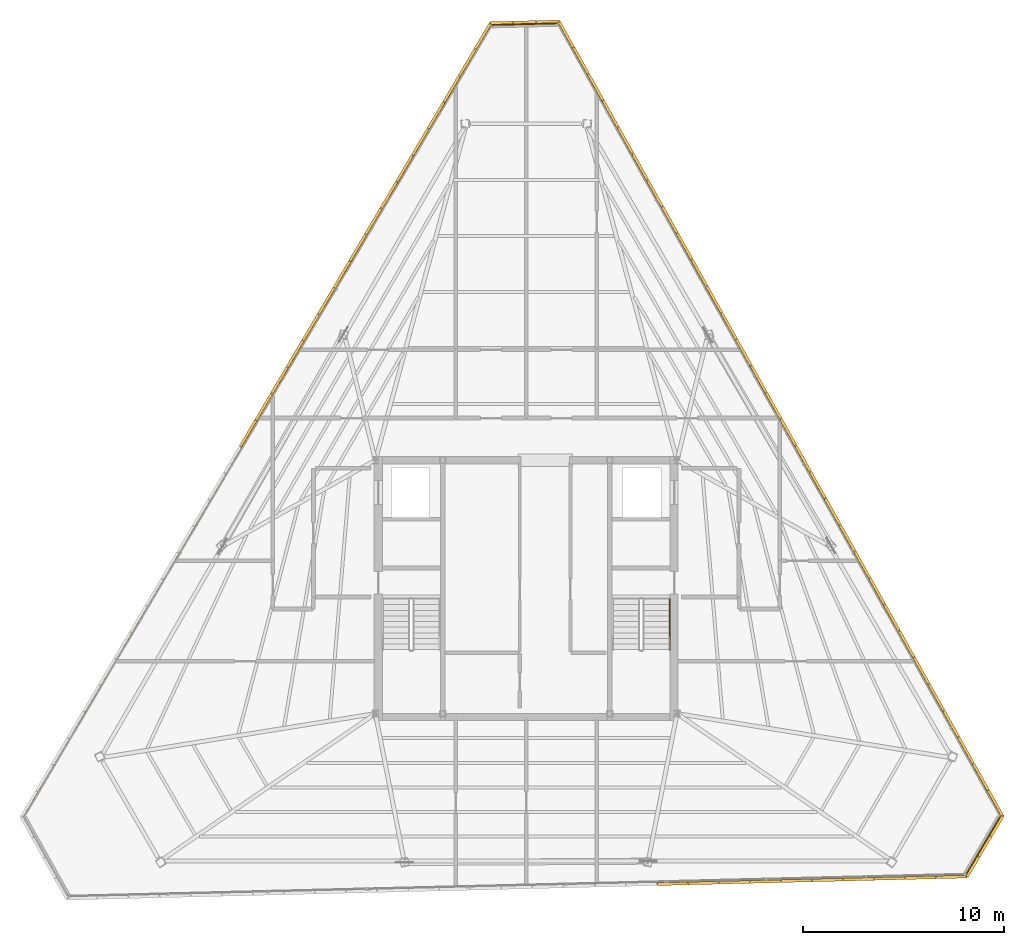
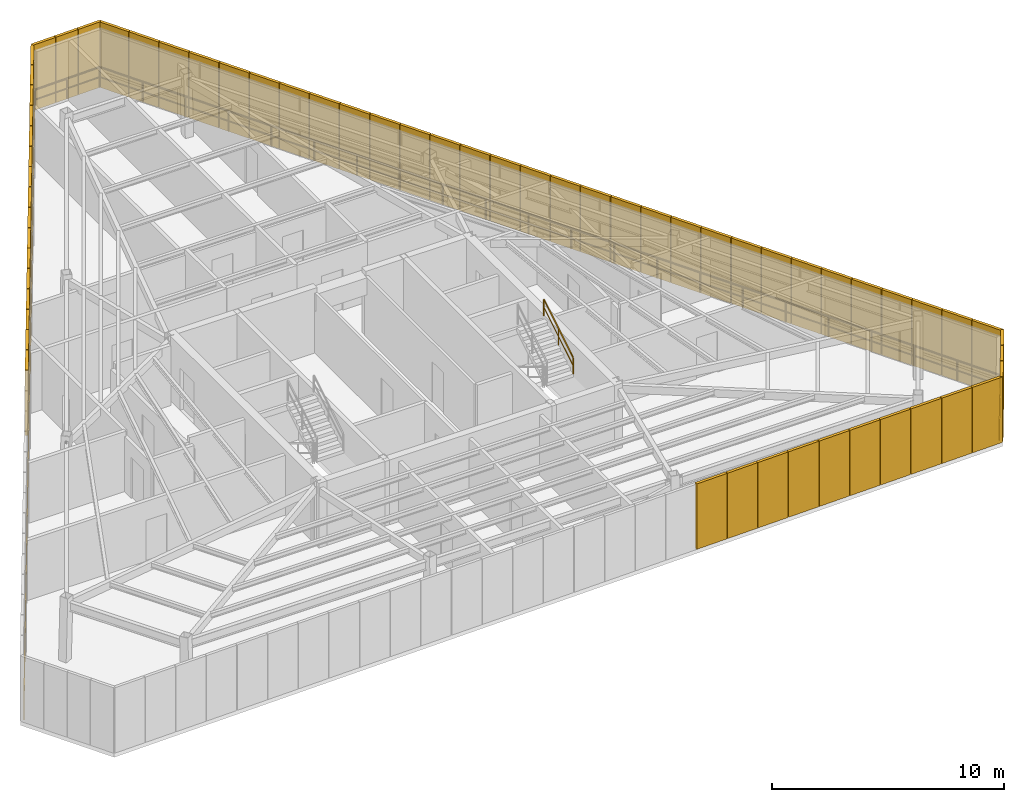
# One storey, part 44 of 44: 62 shading devices, 5 railings.
"""IFC4 building model written with IfcOpenShell, lengths in metres."""

from ifc_helpers import new_model, si_unit, direction, frame, origin, origin_2d, place, context, subcontext, project, spatial, rectangle, extrude, source, transform, mapped, material, layer, layer_set, type_object, type_shapes, element, save


model = new_model("IFC4")

# Units and contexts
model_context = context("Model", 3, precision=1e-05, world=origin(), true_north=direction((0.0, 1.0)))
body_context = subcontext(model_context, "Body", "Model", "MODEL_VIEW")
ifc_project = project(units=[si_unit("LENGTHUNIT", "METRE"), si_unit("AREAUNIT", "SQUARE_METRE"), si_unit("VOLUMEUNIT", "CUBIC_METRE"), si_unit("PLANEANGLEUNIT", "RADIAN"), si_unit("MASSUNIT", "GRAM", prefix="KILO")], contexts=[model_context])

# Site, building, storey
site_placement = place(None, origin())
site = spatial("IfcSite", under=ifc_project, at=site_placement, CompositionType="ELEMENT")
building_placement = place(site_placement, origin())
building = spatial("IfcBuilding", under=site, at=building_placement, Name="Caelisora Broadcast Tower", CompositionType="ELEMENT")
storey_placement = place(building_placement, frame((0.0, 0.0, 289.800048828125)))
storey = spatial("IfcBuildingStorey", under=building, at=storey_placement, Name="L76", CompositionType="ELEMENT", Elevation=289.800048828125)

# Railings
ifc_material_1 = material(Name="Galvanised Steel Safety Guardrail", Category="steel")
ifc_layer_1 = layer(ifc_material_1, 0.048095703125, Name="Galvanised Steel Safety Guardrail")
ifc_layer_set_1 = layer_set([ifc_layer_1], Name="Galvanised Steel Safety Guardrail")
railing_type_1 = type_object("IfcRailingType", Name="GR-1", PredefinedType="GUARDRAIL", material=ifc_layer_set_1)
railing_1_placement = place(storey_placement, frame((39.570068359375, 51.72509765625, 0.0)))
element("IfcRailing", 1, at=railing_1_placement, inside=storey, type_object=railing_type_1, Name="L76 balustrade GR-1 #01", PredefinedType="GUARDRAIL", context=body_context, shape_type="SweptSolid", body=[
    extrude(rectangle(XDim=0.048095703125, YDim=0.048095703125, at=origin_2d()), frame((0.0, 0.0, 1.076171875), z_axis=(0.487478033248, -0.873135251322, 0.0), x_axis=(0.873135251322, 0.487478033248, 0.0)), (0.0, 0.0, 1.0), 45.15673828125),
    extrude(rectangle(XDim=0.03125, YDim=0.03125, at=origin_2d()), frame((0.0, 0.0, 0.550048828125), z_axis=(0.487478033248, -0.873135251322, 0.0), x_axis=(0.873135251322, 0.487478033248, 0.0)), (0.0, 0.0, 1.0), 45.15673828125),
    extrude(rectangle(XDim=0.0419921875, YDim=0.0419921875, at=origin_2d()), origin(), (0.0, 0.0, 1.0), 1.052001953125),
    extrude(rectangle(XDim=0.0419921875, YDim=0.0419921875, at=origin_2d()), frame((1.04833984375, -1.87744140625, 0.0)), (0.0, 0.0, 1.0), 1.052001953125),
    extrude(rectangle(XDim=0.0419921875, YDim=0.0419921875, at=origin_2d()), frame((2.096435546875, -3.755126953125, 0.0)), (0.0, 0.0, 1.0), 1.052001953125),
    extrude(rectangle(XDim=0.0419921875, YDim=0.0419921875, at=origin_2d()), frame((3.144775390625, -5.632568359375, 0.0)), (0.0, 0.0, 1.0), 1.052001953125),
    extrude(rectangle(XDim=0.0419921875, YDim=0.0419921875, at=origin_2d()), frame((4.19287109375, -7.510009765625, 0.0)), (0.0, 0.0, 1.0), 1.052001953125),
    extrude(rectangle(XDim=0.0419921875, YDim=0.0419921875, at=origin_2d()), frame((5.2412109375, -9.3876953125, 0.0)), (0.0, 0.0, 1.0), 1.052001953125),
    extrude(rectangle(XDim=0.0419921875, YDim=0.0419921875, at=origin_2d()), frame((6.289306640625, -11.26513671875, 0.0)), (0.0, 0.0, 1.0), 1.052001953125),
    extrude(rectangle(XDim=0.0419921875, YDim=0.0419921875, at=origin_2d()), frame((7.337646484375, -13.142578125, 0.0)), (0.0, 0.0, 1.0), 1.052001953125),
    extrude(rectangle(XDim=0.0419921875, YDim=0.0419921875, at=origin_2d()), frame((8.385986328125, -15.020263671875, 0.0)), (0.0, 0.0, 1.0), 1.052001953125),
    extrude(rectangle(XDim=0.0419921875, YDim=0.0419921875, at=origin_2d()), frame((9.43408203125, -16.897705078125, 0.0)), (0.0, 0.0, 1.0), 1.052001953125),
    extrude(rectangle(XDim=0.0419921875, YDim=0.0419921875, at=origin_2d()), frame((10.482421875, -18.775146484375, 0.0)), (0.0, 0.0, 1.0), 1.052001953125),
    extrude(rectangle(XDim=0.0419921875, YDim=0.0419921875, at=origin_2d()), frame((11.530517578125, -20.65283203125, 0.0)), (0.0, 0.0, 1.0), 1.052001953125),
    extrude(rectangle(XDim=0.0419921875, YDim=0.0419921875, at=origin_2d()), frame((12.578857421875, -22.5302734375, 0.0)), (0.0, 0.0, 1.0), 1.052001953125),
    extrude(rectangle(XDim=0.0419921875, YDim=0.0419921875, at=origin_2d()), frame((13.626953125, -24.40771484375, 0.0)), (0.0, 0.0, 1.0), 1.052001953125),
    extrude(rectangle(XDim=0.0419921875, YDim=0.0419921875, at=origin_2d()), frame((14.67529296875, -26.285400390625, 0.0)), (0.0, 0.0, 1.0), 1.052001953125),
    extrude(rectangle(XDim=0.0419921875, YDim=0.0419921875, at=origin_2d()), frame((15.7236328125, -28.162841796875, 0.0)), (0.0, 0.0, 1.0), 1.052001953125),
    extrude(rectangle(XDim=0.0419921875, YDim=0.0419921875, at=origin_2d()), frame((16.771728515625, -30.040283203125, 0.0)), (0.0, 0.0, 1.0), 1.052001953125),
    extrude(rectangle(XDim=0.0419921875, YDim=0.0419921875, at=origin_2d()), frame((17.820068359375, -31.91796875, 0.0)), (0.0, 0.0, 1.0), 1.052001953125),
    extrude(rectangle(XDim=0.0419921875, YDim=0.0419921875, at=origin_2d()), frame((18.8681640625, -33.79541015625, 0.0)), (0.0, 0.0, 1.0), 1.052001953125),
    extrude(rectangle(XDim=0.0419921875, YDim=0.0419921875, at=origin_2d()), frame((19.91650390625, -35.6728515625, 0.0)), (0.0, 0.0, 1.0), 1.052001953125),
    extrude(rectangle(XDim=0.0419921875, YDim=0.0419921875, at=origin_2d()), frame((20.964599609375, -37.550537109375, 0.0)), (0.0, 0.0, 1.0), 1.052001953125),
    extrude(rectangle(XDim=0.0419921875, YDim=0.0419921875, at=origin_2d()), frame((22.012939453125, -39.427978515625, 0.0)), (0.0, 0.0, 1.0), 1.052001953125),
])
railing_2_placement = place(storey_placement, frame((61.5830078125, 12.297119140625, 0.0)))
element("IfcRailing", 2, at=railing_2_placement, inside=storey, type_object=railing_type_1, Name="L76 balustrade GR-1 #02", PredefinedType="GUARDRAIL", context=body_context, shape_type="SweptSolid", body=[
    extrude(rectangle(XDim=0.048095703125, YDim=0.048095703125, at=origin_2d()), frame((0.0, 0.0, 1.076171875), z_axis=(-0.50882436981, -0.860870350685, 0.0), x_axis=(0.860870350685, -0.50882436981, 0.0)), (0.0, 0.0, 1.0), 3.37451171875),
    extrude(rectangle(XDim=0.03125, YDim=0.03125, at=origin_2d()), frame((0.0, 0.0, 0.550048828125), z_axis=(-0.50882436981, -0.860870350685, 0.0), x_axis=(0.860870350685, -0.50882436981, 0.0)), (0.0, 0.0, 1.0), 3.37451171875),
    extrude(rectangle(XDim=0.0419921875, YDim=0.0419921875, at=origin_2d()), origin(), (0.0, 0.0, 1.0), 1.052001953125),
    extrude(rectangle(XDim=0.0419921875, YDim=0.0419921875, at=origin_2d()), frame((-0.8583984375, -1.45263671875, 0.0)), (0.0, 0.0, 1.0), 1.052001953125),
    extrude(rectangle(XDim=0.0419921875, YDim=0.0419921875, at=origin_2d()), frame((-1.717041015625, -2.905029296875, 0.0)), (0.0, 0.0, 1.0), 1.052001953125),
])
railing_3_placement = place(storey_placement, frame((13.0029296875, 12.2470703125, 0.0)))
element("IfcRailing", 3, at=railing_3_placement, inside=storey, type_object=railing_type_1, Name="L76 balustrade GR-1 #05", PredefinedType="GUARDRAIL", context=body_context, shape_type="SweptSolid", body=[
    extrude(rectangle(XDim=0.048095703125, YDim=0.048095703125, at=origin_2d()), frame((0.0, 0.0, 1.076171875), z_axis=(0.508745129282, 0.860917181517, 0.0), x_axis=(-0.860917181517, 0.508745129282, 0.0)), (0.0, 0.0, 1.0), 45.76171875),
    extrude(rectangle(XDim=0.03125, YDim=0.03125, at=origin_2d()), frame((0.0, 0.0, 0.550048828125), z_axis=(0.508745129282, 0.860917181517, 0.0), x_axis=(-0.860917181517, 0.508745129282, 0.0)), (0.0, 0.0, 1.0), 45.76171875),
    extrude(rectangle(XDim=0.0419921875, YDim=0.0419921875, at=origin_2d()), origin(), (0.0, 0.0, 1.0), 1.052001953125),
    extrude(rectangle(XDim=0.0419921875, YDim=0.0419921875, at=origin_2d()), frame((1.108642578125, 1.8759765625, 0.0)), (0.0, 0.0, 1.0), 1.052001953125),
    extrude(rectangle(XDim=0.0419921875, YDim=0.0419921875, at=origin_2d()), frame((2.21728515625, 3.752197265625, 0.0)), (0.0, 0.0, 1.0), 1.052001953125),
    extrude(rectangle(XDim=0.0419921875, YDim=0.0419921875, at=origin_2d()), frame((3.325927734375, 5.628173828125, 0.0)), (0.0, 0.0, 1.0), 1.052001953125),
    extrude(rectangle(XDim=0.0419921875, YDim=0.0419921875, at=origin_2d()), frame((4.4345703125, 7.504150390625, 0.0)), (0.0, 0.0, 1.0), 1.052001953125),
    extrude(rectangle(XDim=0.0419921875, YDim=0.0419921875, at=origin_2d()), frame((5.543212890625, 9.380126953125, 0.0)), (0.0, 0.0, 1.0), 1.052001953125),
    extrude(rectangle(XDim=0.0419921875, YDim=0.0419921875, at=origin_2d()), frame((6.651611328125, 11.25634765625, 0.0)), (0.0, 0.0, 1.0), 1.052001953125),
    extrude(rectangle(XDim=0.0419921875, YDim=0.0419921875, at=origin_2d()), frame((7.76025390625, 13.13232421875, 0.0)), (0.0, 0.0, 1.0), 1.052001953125),
    extrude(rectangle(XDim=0.0419921875, YDim=0.0419921875, at=origin_2d()), frame((8.868896484375, 15.00830078125, 0.0)), (0.0, 0.0, 1.0), 1.052001953125),
    extrude(rectangle(XDim=0.0419921875, YDim=0.0419921875, at=origin_2d()), frame((9.9775390625, 16.884521484375, 0.0)), (0.0, 0.0, 1.0), 1.052001953125),
    extrude(rectangle(XDim=0.0419921875, YDim=0.0419921875, at=origin_2d()), frame((11.086181640625, 18.760498046875, 0.0)), (0.0, 0.0, 1.0), 1.052001953125),
    extrude(rectangle(XDim=0.0419921875, YDim=0.0419921875, at=origin_2d()), frame((12.19482421875, 20.636474609375, 0.0)), (0.0, 0.0, 1.0), 1.052001953125),
    extrude(rectangle(XDim=0.0419921875, YDim=0.0419921875, at=origin_2d()), frame((13.303466796875, 22.512451171875, 0.0)), (0.0, 0.0, 1.0), 1.052001953125),
    extrude(rectangle(XDim=0.0419921875, YDim=0.0419921875, at=origin_2d()), frame((14.412109375, 24.388671875, 0.0)), (0.0, 0.0, 1.0), 1.052001953125),
    extrude(rectangle(XDim=0.0419921875, YDim=0.0419921875, at=origin_2d()), frame((15.520751953125, 26.2646484375, 0.0)), (0.0, 0.0, 1.0), 1.052001953125),
    extrude(rectangle(XDim=0.0419921875, YDim=0.0419921875, at=origin_2d()), frame((16.62939453125, 28.140625, 0.0)), (0.0, 0.0, 1.0), 1.052001953125),
    extrude(rectangle(XDim=0.0419921875, YDim=0.0419921875, at=origin_2d()), frame((17.73779296875, 30.016845703125, 0.0)), (0.0, 0.0, 1.0), 1.052001953125),
    extrude(rectangle(XDim=0.0419921875, YDim=0.0419921875, at=origin_2d()), frame((18.846435546875, 31.892822265625, 0.0)), (0.0, 0.0, 1.0), 1.052001953125),
    extrude(rectangle(XDim=0.0419921875, YDim=0.0419921875, at=origin_2d()), frame((19.955078125, 33.768798828125, 0.0)), (0.0, 0.0, 1.0), 1.052001953125),
    extrude(rectangle(XDim=0.0419921875, YDim=0.0419921875, at=origin_2d()), frame((21.063720703125, 35.644775390625, 0.0)), (0.0, 0.0, 1.0), 1.052001953125),
    extrude(rectangle(XDim=0.0419921875, YDim=0.0419921875, at=origin_2d()), frame((22.17236328125, 37.52099609375, 0.0)), (0.0, 0.0, 1.0), 1.052001953125),
    extrude(rectangle(XDim=0.0419921875, YDim=0.0419921875, at=origin_2d()), frame((23.281005859375, 39.39697265625, 0.0)), (0.0, 0.0, 1.0), 1.052001953125),
])
railing_4_placement = place(storey_placement, frame((36.283935546875, 51.64404296875, 0.0)))
element("IfcRailing", 4, at=railing_4_placement, inside=storey, type_object=railing_type_1, Name="L76 balustrade GR-1 #06", PredefinedType="GUARDRAIL", context=body_context, shape_type="SweptSolid", body=[
    extrude(rectangle(XDim=0.048095703125, YDim=0.048095703125, at=origin_2d()), frame((0.0, 0.0, 1.076171875), z_axis=(0.999695940946, 0.024658176255, 0.0), x_axis=(-0.024658176255, 0.999695940946, 0.0)), (0.0, 0.0, 1.0), 3.287109375),
    extrude(rectangle(XDim=0.03125, YDim=0.03125, at=origin_2d()), frame((0.0, 0.0, 0.550048828125), z_axis=(0.999695940946, 0.024658176255, 0.0), x_axis=(-0.024658176255, 0.999695940946, 0.0)), (0.0, 0.0, 1.0), 3.287109375),
    extrude(rectangle(XDim=0.0419921875, YDim=0.0419921875, at=origin_2d()), origin(), (0.0, 0.0, 1.0), 1.052001953125),
    extrude(rectangle(XDim=0.0419921875, YDim=0.0419921875, at=origin_2d()), frame((1.64306640625, 0.04052734375, 0.0)), (0.0, 0.0, 1.0), 1.052001953125),
    extrude(rectangle(XDim=0.0419921875, YDim=0.0419921875, at=origin_2d()), frame((3.2861328125, 0.0810546875, 0.0)), (0.0, 0.0, 1.0), 1.052001953125),
])
ifc_material_2 = material(Name="Stainless Steel Grade 316 Tubular Handrail", Category="steel")
ifc_layer_2 = layer(ifc_material_2, 0.048095703125, Name="Stainless Steel Grade 316 Tubular Handrail")
ifc_layer_set_2 = layer_set([ifc_layer_2], Name="Stainless Steel Grade 316 Tubular Handrail")
railing_type_2 = type_object("IfcRailingType", Name="HR-1", PredefinedType="HANDRAIL", material=ifc_layer_set_2)
railing_5_placement = place(storey_placement, frame((45.1298828125, 20.580078125, 1.869873046875)))
element("IfcRailing", 5, at=railing_5_placement, inside=storey, type_object=railing_type_2, Name="L76 ST-2 stair handrail 2", PredefinedType="HANDRAIL", context=body_context, shape_type="SweptSolid", body=[
    extrude(rectangle(XDim=0.048095703125, YDim=0.048095703125, at=origin_2d()), frame((0.0, 0.0, 0.8759765625), z_axis=(0.0, 0.85478489116, 0.518982456201), x_axis=(-1.0, 0.0, 0.0)), (0.0, 0.0, 1.0), 2.9482421875),
    extrude(rectangle(XDim=0.03125, YDim=0.03125, at=origin_2d()), frame((0.0, 0.0, 0.449951171875), z_axis=(0.0, 0.85478489116, 0.518982456201), x_axis=(-1.0, 0.0, 0.0)), (0.0, 0.0, 1.0), 2.9482421875),
    extrude(rectangle(XDim=0.0419921875, YDim=0.0419921875, at=origin_2d()), origin(), (0.0, 0.0, 1.0), 0.851806640625),
    extrude(rectangle(XDim=0.0419921875, YDim=0.0419921875, at=origin_2d()), frame((0.0, 1.260009765625, 0.76513671875)), (0.0, 0.0, 1.0), 0.851806640625),
    extrude(rectangle(XDim=0.0419921875, YDim=0.0419921875, at=origin_2d()), frame((0.0, 2.52001953125, 1.530029296875)), (0.0, 0.0, 1.0), 0.851806640625),
])

# Shading devices
ifc_material_3 = material(Name="Anodised Terracotta Aluminium Acoustic Louvre", Category="aluminium")
ifc_layer_3 = layer(ifc_material_3, 0.139892578125, Name="Anodised Terracotta Aluminium Acoustic Louvre")
ifc_layer_set_3 = layer_set([ifc_layer_3], Name="Anodised Terracotta Aluminium Acoustic Louvre")
shading_device_type = type_object("IfcShadingDeviceType", Name="LV-1", PredefinedType="JALOUSIE", material=ifc_layer_set_3)
shared_shape_1 = source(origin(), body_context, "Body", "SweptSolid", [
    extrude(rectangle(XDim=1.11962890625, YDim=0.139892578125, at=origin_2d()), origin(), (0.0, 0.0, 1.0), 3.43994140625),
])
for number, where, z_axis, x_axis, name in (
    (6, (39.077392578125, 51.812744140625, -0.02001953125), (0.0, 0.0, 1.0), (-0.999697210335, -0.024606658605, 0.0), "L76 crown acoustic louvre #001"),
    (7, (37.927978515625, 51.784423828125, -0.02001953125), (0.0, 0.0, 1.0), (-0.999697210335, -0.024606658605, 0.0), "L76 crown acoustic louvre #002"),
    (8, (36.77880859375, 51.756103515625, -0.02001953125), (0.0, 0.0, 1.0), (-0.999697210335, -0.024606658605, 0.0), "L76 crown acoustic louvre #003"),
):
    element("IfcShadingDevice", number, at=place(storey_placement, frame(where, z_axis=z_axis, x_axis=x_axis)), inside=storey, type_object=shading_device_type, Name=name, PredefinedType="JALOUSIE", context=body_context, shape_type="MappedRepresentation", body=[
        mapped(shared_shape_1, transform((0.0, 0.0, 0.0), scale=1.0)),
    ])
shared_shape_2 = source(origin(), body_context, "Body", "SweptSolid", [
    extrude(rectangle(XDim=1.50048828125, YDim=0.139892578125, at=origin_2d()), origin(), (0.0, 0.0, 1.0), 3.43994140625),
])
for number, where, z_axis, x_axis, name in (
    (9, (35.84814453125, 51.102783203125, -0.02001953125), (0.0, 0.0, 1.0), (-0.508740929096, -0.860919663536, 0.0), "L76 crown acoustic louvre #004"),
    (10, (35.0693359375, 49.784912109375, -0.02001953125), (0.0, 0.0, 1.0), (-0.508740929096, -0.860919663536, 0.0), "L76 crown acoustic louvre #005"),
    (11, (34.290771484375, 48.46728515625, -0.02001953125), (0.0, 0.0, 1.0), (-0.508740929096, -0.860919663536, 0.0), "L76 crown acoustic louvre #006"),
    (12, (33.511962890625, 47.1494140625, -0.02001953125), (0.0, 0.0, 1.0), (-0.508740929096, -0.860919663536, 0.0), "L76 crown acoustic louvre #007"),
    (13, (32.7333984375, 45.831787109375, -0.02001953125), (0.0, 0.0, 1.0), (-0.508740929096, -0.860919663536, 0.0), "L76 crown acoustic louvre #008"),
    (14, (31.95458984375, 44.513916015625, -0.02001953125), (0.0, 0.0, 1.0), (-0.508740929096, -0.860919663536, 0.0), "L76 crown acoustic louvre #009"),
    (15, (31.17578125, 43.1962890625, -0.02001953125), (0.0, 0.0, 1.0), (-0.508740929096, -0.860919663536, 0.0), "L76 crown acoustic louvre #010"),
    (16, (30.397216796875, 41.87841796875, -0.02001953125), (0.0, 0.0, 1.0), (-0.508740929096, -0.860919663536, 0.0), "L76 crown acoustic louvre #011"),
    (17, (29.618408203125, 40.560546875, -0.02001953125), (0.0, 0.0, 1.0), (-0.508740929096, -0.860919663536, 0.0), "L76 crown acoustic louvre #012"),
    (18, (28.83984375, 39.242919921875, -0.02001953125), (0.0, 0.0, 1.0), (-0.508740929096, -0.860919663536, 0.0), "L76 crown acoustic louvre #013"),
    (19, (28.06103515625, 37.925048828125, -0.02001953125), (0.0, 0.0, 1.0), (-0.508740929096, -0.860919663536, 0.0), "L76 crown acoustic louvre #014"),
    (20, (27.282470703125, 36.607421875, -0.02001953125), (0.0, 0.0, 1.0), (-0.508740929096, -0.860919663536, 0.0), "L76 crown acoustic louvre #015"),
    (21, (26.503662109375, 35.28955078125, -0.02001953125), (0.0, 0.0, 1.0), (-0.508740929096, -0.860919663536, 0.0), "L76 crown acoustic louvre #016"),
    (22, (25.72509765625, 33.9716796875, -0.02001953125), (0.0, 0.0, 1.0), (-0.508740929096, -0.860919663536, 0.0), "L76 crown acoustic louvre #017"),
    (23, (24.9462890625, 32.654052734375, -0.02001953125), (0.0, 0.0, 1.0), (-0.508740929096, -0.860919663536, 0.0), "L76 crown acoustic louvre #018"),
    (24, (24.16748046875, 31.336181640625, -0.02001953125), (0.0, 0.0, 1.0), (-0.508740929096, -0.860919663536, 0.0), "L76 crown acoustic louvre #019"),
):
    element("IfcShadingDevice", number, at=place(storey_placement, frame(where, z_axis=z_axis, x_axis=x_axis)), inside=storey, type_object=shading_device_type, Name=name, PredefinedType="JALOUSIE", context=body_context, shape_type="MappedRepresentation", body=[
        mapped(shared_shape_2, transform((0.0, 0.0, 0.0), scale=1.0)),
    ])
shared_shape_3 = source(origin(), body_context, "Body", "SweptSolid", [
    extrude(rectangle(XDim=1.51611328125, YDim=0.139892578125, at=origin_2d()), origin(), (0.0, 0.0, 1.0), 3.43994140625),
])
for number, where, z_axis, x_axis, name in (
    (25, (45.263671875, 8.93408203125, -0.02001953125), (0.0, 0.0, 1.0), (0.999701489781, 0.024432178153, 0.0), "L76 crown acoustic louvre #057"),
    (26, (46.80908203125, 8.971923828125, -0.02001953125), (0.0, 0.0, 1.0), (0.999701489781, 0.024432178153, 0.0), "L76 crown acoustic louvre #058"),
    (27, (48.3544921875, 9.009765625, -0.02001953125), (0.0, 0.0, 1.0), (0.999701489781, 0.024432178153, 0.0), "L76 crown acoustic louvre #059"),
    (28, (49.900146484375, 9.047607421875, -0.02001953125), (0.0, 0.0, 1.0), (0.999701489781, 0.024432178153, 0.0), "L76 crown acoustic louvre #060"),
    (29, (51.44580078125, 9.085693359375, -0.02001953125), (0.0, 0.0, 1.0), (0.999701489781, 0.024432178153, 0.0), "L76 crown acoustic louvre #061"),
    (30, (52.9912109375, 9.12353515625, -0.02001953125), (0.0, 0.0, 1.0), (0.999701489781, 0.024432178153, 0.0), "L76 crown acoustic louvre #062"),
    (31, (54.53662109375, 9.161376953125, -0.02001953125), (0.0, 0.0, 1.0), (0.999701489781, 0.024432178153, 0.0), "L76 crown acoustic louvre #063"),
    (32, (56.082275390625, 9.19921875, -0.02001953125), (0.0, 0.0, 1.0), (0.999701489781, 0.024432178153, 0.0), "L76 crown acoustic louvre #064"),
    (33, (57.627685546875, 9.237060546875, -0.02001953125), (0.0, 0.0, 1.0), (0.999701489781, 0.024432178153, 0.0), "L76 crown acoustic louvre #065"),
    (34, (59.17333984375, 9.27490234375, -0.02001953125), (0.0, 0.0, 1.0), (0.999701489781, 0.024432178153, 0.0), "L76 crown acoustic louvre #066"),
):
    element("IfcShadingDevice", number, at=place(storey_placement, frame(where, z_axis=z_axis, x_axis=x_axis)), inside=storey, type_object=shading_device_type, Name=name, PredefinedType="JALOUSIE", context=body_context, shape_type="MappedRepresentation", body=[
        mapped(shared_shape_3, transform((0.0, 0.0, 0.0), scale=1.0)),
    ])
shared_shape_4 = source(origin(), body_context, "Body", "SweptSolid", [
    extrude(rectangle(XDim=1.1474609375, YDim=0.139892578125, at=origin_2d()), origin(), (0.0, 0.0, 1.0), 3.43994140625),
])
for number, where, z_axis, x_axis, name in (
    (35, (60.212158203125, 9.78125, -0.02001953125), (0.0, 0.0, 1.0), (0.508740929096, 0.860919663536, 0.0), "L76 crown acoustic louvre #067"),
    (36, (60.81103515625, 10.794921875, -0.02001953125), (0.0, 0.0, 1.0), (0.508740929096, 0.860919663536, 0.0), "L76 crown acoustic louvre #068"),
    (37, (61.41015625, 11.80859375, -0.02001953125), (0.0, 0.0, 1.0), (0.508740929096, 0.860919663536, 0.0), "L76 crown acoustic louvre #069"),
):
    element("IfcShadingDevice", number, at=place(storey_placement, frame(where, z_axis=z_axis, x_axis=x_axis)), inside=storey, type_object=shading_device_type, Name=name, PredefinedType="JALOUSIE", context=body_context, shape_type="MappedRepresentation", body=[
        mapped(shared_shape_4, transform((0.0, 0.0, 0.0), scale=1.0)),
    ])
shared_shape_5 = source(origin(), body_context, "Body", "SweptSolid", [
    extrude(rectangle(XDim=1.480712890625, YDim=0.139892578125, at=origin_2d()), origin(), (0.0, 0.0, 1.0), 3.43994140625),
])
type_shapes(shading_device_type, [shared_shape_1, shared_shape_2, shared_shape_3, shared_shape_4, shared_shape_5])
for number, where, z_axis, x_axis, name in (
    (38, (61.3408203125, 12.93505859375, -0.02001953125), (0.0, 0.0, 1.0), (-0.487402531354, 0.87317740032, 0.0), "L76 crown acoustic louvre #070"),
    (39, (60.6044921875, 14.254150390625, -0.02001953125), (0.0, 0.0, 1.0), (-0.487402531354, 0.87317740032, 0.0), "L76 crown acoustic louvre #071"),
    (40, (59.867919921875, 15.5732421875, -0.02001953125), (0.0, 0.0, 1.0), (-0.487402531354, 0.87317740032, 0.0), "L76 crown acoustic louvre #072"),
    (41, (59.131591796875, 16.89208984375, -0.02001953125), (0.0, 0.0, 1.0), (-0.487402531354, 0.87317740032, 0.0), "L76 crown acoustic louvre #073"),
    (42, (58.39501953125, 18.211181640625, -0.02001953125), (0.0, 0.0, 1.0), (-0.487402531354, 0.87317740032, 0.0), "L76 crown acoustic louvre #074"),
    (43, (57.65869140625, 19.530517578125, -0.02001953125), (0.0, 0.0, 1.0), (-0.487402531354, 0.87317740032, 0.0), "L76 crown acoustic louvre #075"),
    (44, (56.92236328125, 20.849365234375, -0.02001953125), (0.0, 0.0, 1.0), (-0.487402531354, 0.87317740032, 0.0), "L76 crown acoustic louvre #076"),
    (45, (56.185791015625, 22.16845703125, -0.02001953125), (0.0, 0.0, 1.0), (-0.487402531354, 0.87317740032, 0.0), "L76 crown acoustic louvre #077"),
    (46, (55.449462890625, 23.487548828125, -0.02001953125), (0.0, 0.0, 1.0), (-0.487402531354, 0.87317740032, 0.0), "L76 crown acoustic louvre #078"),
    (47, (54.712890625, 24.806640625, -0.02001953125), (0.0, 0.0, 1.0), (-0.487402531354, 0.87317740032, 0.0), "L76 crown acoustic louvre #079"),
    (48, (53.9765625, 26.125732421875, -0.02001953125), (0.0, 0.0, 1.0), (-0.487402531354, 0.87317740032, 0.0), "L76 crown acoustic louvre #080"),
    (49, (53.239990234375, 27.44482421875, -0.02001953125), (0.0, 0.0, 1.0), (-0.487402531354, 0.87317740032, 0.0), "L76 crown acoustic louvre #081"),
    (50, (52.503662109375, 28.763916015625, -0.02001953125), (0.0, 0.0, 1.0), (-0.487402531354, 0.87317740032, 0.0), "L76 crown acoustic louvre #082"),
    (51, (51.76708984375, 30.0830078125, -0.02001953125), (0.0, 0.0, 1.0), (-0.487402531354, 0.87317740032, 0.0), "L76 crown acoustic louvre #083"),
    (52, (51.03076171875, 31.402099609375, -0.02001953125), (0.0, 0.0, 1.0), (-0.487402531354, 0.87317740032, 0.0), "L76 crown acoustic louvre #084"),
    (53, (50.29443359375, 32.720947265625, -0.02001953125), (0.0, 0.0, 1.0), (-0.487402531354, 0.87317740032, 0.0), "L76 crown acoustic louvre #085"),
    (54, (49.557861328125, 34.0400390625, -0.02001953125), (0.0, 0.0, 1.0), (-0.487402531354, 0.87317740032, 0.0), "L76 crown acoustic louvre #086"),
    (55, (48.821533203125, 35.359130859375, -0.02001953125), (0.0, 0.0, 1.0), (-0.487402531354, 0.87317740032, 0.0), "L76 crown acoustic louvre #087"),
    (56, (48.085205078125, 36.67822265625, -0.02001953125), (0.0, 0.0, 1.0), (-0.487402531354, 0.87317740032, 0.0), "L76 crown acoustic louvre #088"),
    (57, (47.3486328125, 37.997314453125, -0.02001953125), (0.0, 0.0, 1.0), (-0.487402531354, 0.87317740032, 0.0), "L76 crown acoustic louvre #089"),
    (58, (46.6123046875, 39.31640625, -0.02001953125), (0.0, 0.0, 1.0), (-0.487402531354, 0.87317740032, 0.0), "L76 crown acoustic louvre #090"),
    (59, (45.875732421875, 40.635498046875, -0.02001953125), (0.0, 0.0, 1.0), (-0.487402531354, 0.87317740032, 0.0), "L76 crown acoustic louvre #091"),
    (60, (45.139404296875, 41.95458984375, -0.02001953125), (0.0, 0.0, 1.0), (-0.487402531354, 0.87317740032, 0.0), "L76 crown acoustic louvre #092"),
    (61, (44.40283203125, 43.273681640625, -0.02001953125), (0.0, 0.0, 1.0), (-0.487402531354, 0.87317740032, 0.0), "L76 crown acoustic louvre #093"),
    (62, (43.66650390625, 44.592529296875, -0.02001953125), (0.0, 0.0, 1.0), (-0.487402531354, 0.87317740032, 0.0), "L76 crown acoustic louvre #094"),
    (63, (42.929931640625, 45.91162109375, -0.02001953125), (0.0, 0.0, 1.0), (-0.487402531354, 0.87317740032, 0.0), "L76 crown acoustic louvre #095"),
    (64, (42.193603515625, 47.230712890625, -0.02001953125), (0.0, 0.0, 1.0), (-0.487402531354, 0.87317740032, 0.0), "L76 crown acoustic louvre #096"),
    (65, (41.457275390625, 48.5498046875, -0.02001953125), (0.0, 0.0, 1.0), (-0.487402531354, 0.87317740032, 0.0), "L76 crown acoustic louvre #097"),
    (66, (40.720703125, 49.868896484375, -0.02001953125), (0.0, 0.0, 1.0), (-0.487402531354, 0.87317740032, 0.0), "L76 crown acoustic louvre #098"),
    (67, (39.984375, 51.18798828125, -0.02001953125), (0.0, 0.0, 1.0), (-0.487402531354, 0.87317740032, 0.0), "L76 crown acoustic louvre #099"),
):
    element("IfcShadingDevice", number, at=place(storey_placement, frame(where, z_axis=z_axis, x_axis=x_axis)), inside=storey, type_object=shading_device_type, Name=name, PredefinedType="JALOUSIE", context=body_context, shape_type="MappedRepresentation", body=[
        mapped(shared_shape_5, transform((0.0, 0.0, 0.0), scale=1.0)),
    ])

save(model, "model.ifc")
